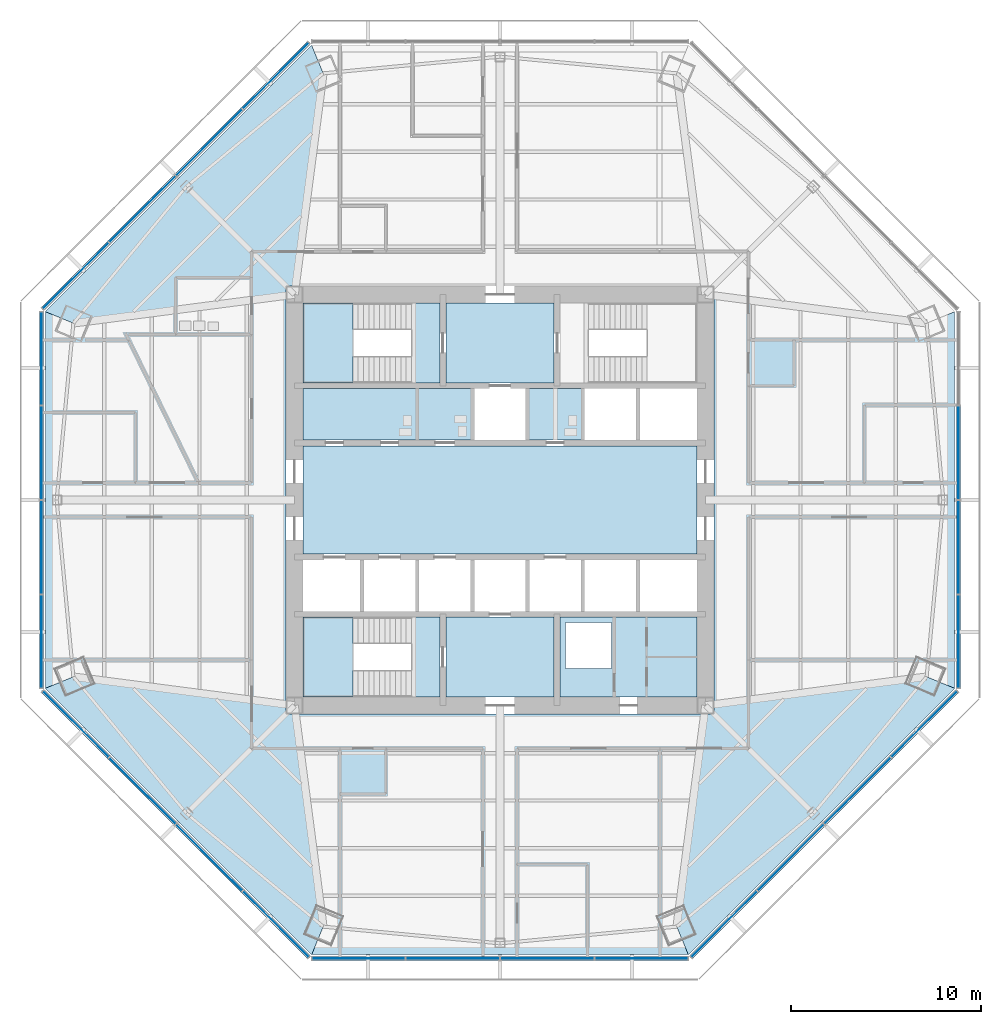
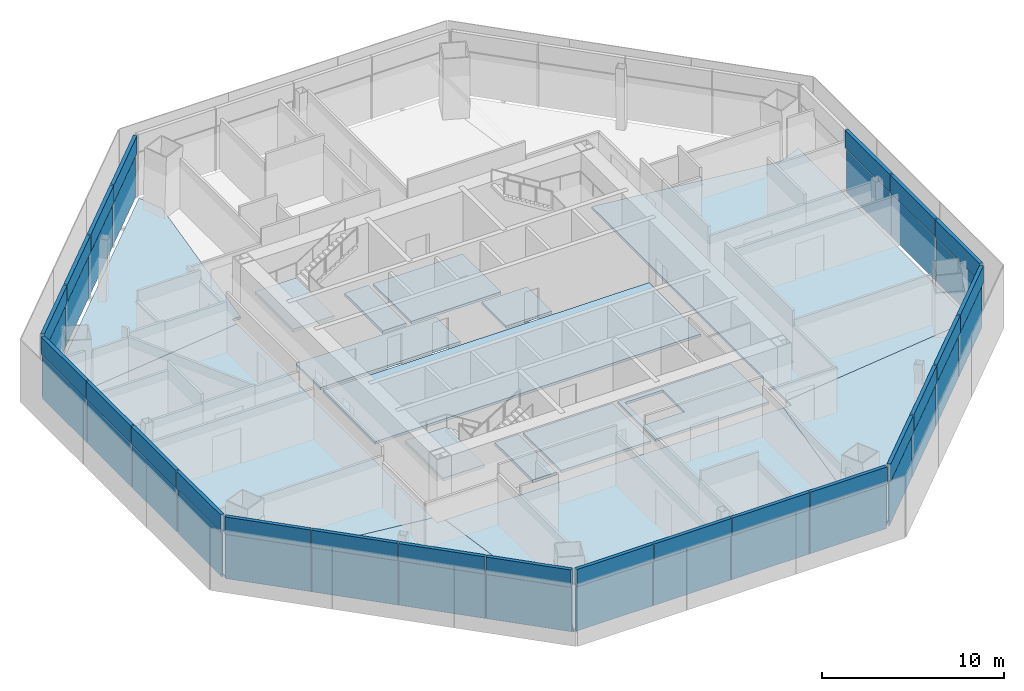
# One storey, part 7 of 14: 46 plates, 16 slabs, 8 elements without a shape of their own.
"""IFC4 building model written with IfcOpenShell, lengths in metres."""

import ifcopenshell
import ifcopenshell.guid

model = None  # the IFC model being written
_history = None  # IfcOwnerHistory: only IFC2X3 demands one
_inside = {}  # id of a spatial element -> (the spatial element, [elements in it])
_under = {}  # id of a project, library or spatial element -> (it, [spatial elements below it])
_declared = {}  # id of a project -> (the project, [libraries it declares])
_typed = {}  # id of a type object -> (the type object, [elements of that type])
_made_of = {}  # id of a material, layer set ... -> (it, [elements and type objects made of it])


def new_model(schema):
    """Start an empty IFC model of exactly this schema.

    Asked for "IFC4X3", IfcOpenShell would pick the latest addendum, in which some entities
    have other attributes; the version numbers below select the first issue.
    IFC2X3 requires an IfcOwnerHistory on every rooted entity: one is made here for all.
    """
    global model, _history
    if schema == "IFC4X3":
        model = ifcopenshell.file(schema_version=(4, 3, 0, 0))
    else:
        model = ifcopenshell.file(schema=schema)
    _inside.clear()
    _under.clear()
    _declared.clear()
    _typed.clear()
    _made_of.clear()
    _history = None
    if model.schema == "IFC2X3":
        org = make("IfcOrganization", Name="unknown")
        user = make(
            "IfcPersonAndOrganization",
            ThePerson=make("IfcPerson", FamilyName="unknown"),
            TheOrganization=org,
        )
        app = make(
            "IfcApplication",
            ApplicationDeveloper=org,
            Version="unknown",
            ApplicationFullName="unknown",
            ApplicationIdentifier="unknown",
        )
        _history = make(
            "IfcOwnerHistory",
            OwningUser=user,
            OwningApplication=app,
            ChangeAction="ADDED",
            CreationDate=0,
        )
    return model


def make(cls, **values):
    """One entity of the class cls with the attributes given. An attribute that is None is left unset."""
    return model.create_entity(
        cls, **{name: value for name, value in values.items() if value is not None}
    )


def rooted(cls, **values):
    """An entity with a GlobalId (a new one), such as an element, a storey or a relation."""
    return make(cls, GlobalId=ifcopenshell.guid.new(), OwnerHistory=_history, **values)


def si_unit(unit_type, name, prefix=None):
    """IfcSIUnit, for example si_unit("LENGTHUNIT", "METRE", prefix="MILLI")."""
    return make("IfcSIUnit", UnitType=unit_type, Prefix=prefix, Name=name)


def assignment(units):
    """IfcUnitAssignment: the units of a project."""
    return None if units is None else make("IfcUnitAssignment", Units=units)


def point(xyz):
    """IfcCartesianPoint."""
    return None if xyz is None else make("IfcCartesianPoint", Coordinates=xyz)


def direction(xyz):
    """IfcDirection."""
    return None if xyz is None else make("IfcDirection", DirectionRatios=xyz)


def frame(location, z_axis=None, x_axis=None):
    """IfcAxis2Placement3D, a coordinate frame: its origin and axes. An axis left out is left unset."""
    return make(
        "IfcAxis2Placement3D",
        Location=point(location),
        Axis=direction(z_axis),
        RefDirection=direction(x_axis),
    )


def frame_2d(location, x_axis=None):
    """IfcAxis2Placement2D, a coordinate frame in the plane: its origin and x axis."""
    return make(
        "IfcAxis2Placement2D", Location=point(location), RefDirection=direction(x_axis)
    )


def origin():
    """The frame at (0, 0, 0) with its axes left unset."""
    return frame((0.0, 0.0, 0.0))


def origin_2d():
    """The frame at (0, 0) in the plane with its x axis left unset."""
    return frame_2d((0.0, 0.0))


def place(relative_to, where):
    """IfcLocalPlacement: puts the frame where relative to a parent placement (None: the world)."""
    return make(
        "IfcLocalPlacement", PlacementRelTo=relative_to, RelativePlacement=where
    )


def context(
    kind, dimensions, precision=None, world=None, true_north=None, identifier=None
):
    """IfcGeometricRepresentationContext, for example the 3D "Model" context."""
    return make(
        "IfcGeometricRepresentationContext",
        ContextIdentifier=identifier,
        ContextType=kind,
        CoordinateSpaceDimension=dimensions,
        Precision=precision,
        WorldCoordinateSystem=world,
        TrueNorth=true_north,
    )


def subcontext(parent, identifier, kind, view, scale=None):
    """IfcGeometricRepresentationSubContext, for example "Body" below "Model"."""
    return make(
        "IfcGeometricRepresentationSubContext",
        ContextIdentifier=identifier,
        ContextType=kind,
        ParentContext=parent,
        TargetScale=scale,
        TargetView=view,
    )


def project(units=None, contexts=None):
    """IfcProject with its units and contexts."""
    return rooted(
        "IfcProject",
        Name="project",
        RepresentationContexts=contexts,
        UnitsInContext=assignment(units),
    )


def spatial(cls, under=None, at=None, **own):
    """A site, building, storey or space (cls), placed at a placement, below another one or the project."""
    s = rooted(cls, ObjectPlacement=at, **own)
    if under is not None:
        _under.setdefault(under.id(), (under, []))[1].append(s)
    return s


def polyline(points):
    """IfcPolyline through the points."""
    return make("IfcPolyline", Points=[point(p) for p in points])


def profile(cls, at=None, kind="AREA", **sizes):
    """A parametric profile (cls). Its sizes go by their IFC names, for example OverallWidth=200.0."""
    return make(cls, ProfileType=kind, Position=at, **sizes)


def rectangle(**sizes):
    """IfcRectangleProfileDef."""
    return profile("IfcRectangleProfileDef", **sizes)


def outline(outer, holes=None, kind="AREA"):
    """IfcArbitraryClosedProfileDef: a profile drawn as a closed curve; with holes, ...WithVoids."""
    if holes is None:
        return make("IfcArbitraryClosedProfileDef", ProfileType=kind, OuterCurve=outer)
    return make(
        "IfcArbitraryProfileDefWithVoids",
        ProfileType=kind,
        OuterCurve=outer,
        InnerCurves=holes,
    )


def extrude(swept, where, along, depth):
    """IfcExtrudedAreaSolid: the profile swept, set in the frame where, extruded along a direction by depth."""
    return make(
        "IfcExtrudedAreaSolid",
        SweptArea=swept,
        Position=where,
        ExtrudedDirection=direction(along),
        Depth=depth,
    )


def shape(context_of_items, identifier, shape_type, items):
    """IfcShapeRepresentation: the items that make up one representation, for example the "Body"."""
    return make(
        "IfcShapeRepresentation",
        ContextOfItems=context_of_items,
        RepresentationIdentifier=identifier,
        RepresentationType=shape_type,
        Items=items,
    )


def source(mapping_origin, context_of_items, identifier, shape_type, items):
    """IfcRepresentationMap: a shape defined once, which mapped items show again and again."""
    return make(
        "IfcRepresentationMap",
        MappingOrigin=mapping_origin,
        MappedRepresentation=shape(context_of_items, identifier, shape_type, items),
    )


def transform(
    local_origin,
    x_axis=None,
    y_axis=None,
    z_axis=None,
    scale=None,
    scale2=None,
    scale3=None,
    uniform=True,
):
    """IfcCartesianTransformationOperator3D, or its non-uniform kind. x_axis, y_axis, z_axis: its Axis1, 2, 3."""
    if uniform:
        return make(
            "IfcCartesianTransformationOperator3D",
            Axis1=direction(x_axis),
            Axis2=direction(y_axis),
            LocalOrigin=point(local_origin),
            Scale=scale,
            Axis3=direction(z_axis),
        )
    return make(
        "IfcCartesianTransformationOperator3DnonUniform",
        Axis1=direction(x_axis),
        Axis2=direction(y_axis),
        LocalOrigin=point(local_origin),
        Scale=scale,
        Axis3=direction(z_axis),
        Scale2=scale2,
        Scale3=scale3,
    )


def mapped(mapping_source, mapping_target):
    """IfcMappedItem: shows the shape of a source again, moved by a transform."""
    return make(
        "IfcMappedItem", MappingSource=mapping_source, MappingTarget=mapping_target
    )


def material(Name=None, Category=None):
    """IfcMaterial."""
    return make("IfcMaterial", Name=Name, Category=Category)


def layer(
    of_material, thickness, ventilated=None, Name=None, Category=None, Priority=None
):
    """IfcMaterialLayer: one layer of a wall or slab, of a material (None: an air gap)."""
    return make(
        "IfcMaterialLayer",
        Material=of_material,
        LayerThickness=thickness,
        IsVentilated=ventilated,
        Name=Name,
        Category=Category,
        Priority=Priority,
    )


def layer_set(layers, Name=None):
    """IfcMaterialLayerSet."""
    return make("IfcMaterialLayerSet", MaterialLayers=layers, LayerSetName=Name)


def made_of(thing, what):
    """Note that an element or type object is made of a material, layer set ...; save() writes the relation."""
    if what is not None:
        _made_of.setdefault(what.id(), (what, []))[1].append(thing)
    return thing


def type_object(cls, material=None, **own):
    """A type object (cls), such as IfcWallType, which elements share."""
    return made_of(rooted(cls, **own), material)


def type_shapes(of_type, sources):
    """Give a type object the sources (RepresentationMaps) that its elements show as mapped items."""
    of_type.RepresentationMaps = sources


def element(
    cls,
    number,
    at=None,
    inside=None,
    cuts=None,
    type_object=None,
    material=None,
    context=None,
    identifier="Body",
    shape_type=None,
    held_by="IfcProductDefinitionShape",
    body=None,
    shapes=None,
    **own,
):
    """One element of the class cls, such as IfcWall. Its Tag is "e" and its number.

    at: its placement. inside: the storey or other place that contains it. cuts: it is an
    opening in that element (IfcRelVoidsElement). A single representation is given by context,
    identifier, shape_type and body (its items); several are given by shapes. held_by: the class
    of the entity that holds the representations. save() writes the other relations.
    """
    e = rooted(cls, Tag="e%d" % number, ObjectPlacement=at, **own)
    if body is not None:
        shapes = [shape(context, identifier, shape_type, body)]
    if shapes is not None:
        e.Representation = make(held_by, Representations=shapes)
    if inside is not None:
        _inside.setdefault(inside.id(), (inside, []))[1].append(e)
    if cuts is not None:
        rooted(
            "IfcRelVoidsElement", RelatingBuildingElement=cuts, RelatedOpeningElement=e
        )
    if type_object is not None:
        _typed.setdefault(type_object.id(), (type_object, []))[1].append(e)
    return made_of(e, material)


def aggregate(whole, parts):
    """IfcRelAggregates: a whole, such as a stair, and the parts it consists of."""
    return rooted("IfcRelAggregates", RelatingObject=whole, RelatedObjects=parts)


def save(model, path):
    """Write the relations noted so far, then the file.

    IfcRelAggregates (storeys below a building ...), IfcRelContainedInSpatialStructure (elements
    in a storey), IfcRelDefinesByType, IfcRelAssociatesMaterial and IfcRelDeclares: one each for
    every whole, place, type object, material and project.
    """
    for whole, parts in _under.values():
        aggregate(whole, parts)
    for where, things in _inside.values():
        rooted(
            "IfcRelContainedInSpatialStructure",
            RelatedElements=things,
            RelatingStructure=where,
        )
    for kind, things in _typed.values():
        rooted("IfcRelDefinesByType", RelatedObjects=things, RelatingType=kind)
    for what, things in _made_of.values():
        rooted("IfcRelAssociatesMaterial", RelatedObjects=things, RelatingMaterial=what)
    for by, libraries in _declared.values():
        rooted("IfcRelDeclares", RelatingContext=by, RelatedDefinitions=libraries)
    model.write(path)


model = new_model("IFC4")

# Units and contexts
model_context = context("Model", 3, precision=1e-05, world=origin(), true_north=direction((0.0, 1.0)))
body_context = subcontext(model_context, "Body", "Model", "MODEL_VIEW")
ifc_project = project(units=[si_unit("LENGTHUNIT", "METRE"), si_unit("AREAUNIT", "SQUARE_METRE"), si_unit("VOLUMEUNIT", "CUBIC_METRE"), si_unit("PLANEANGLEUNIT", "RADIAN"), si_unit("MASSUNIT", "GRAM", prefix="KILO")], contexts=[model_context])

# Site, building, storey
site_placement = place(None, origin())
site = spatial("IfcSite", under=ifc_project, at=site_placement, CompositionType="ELEMENT")
building_placement = place(site_placement, origin())
building = spatial("IfcBuilding", under=site, at=building_placement, Name="Mashrafa Tower", CompositionType="ELEMENT")
storey_placement = place(building_placement, frame((0.0, 0.0, 138.60009765625)))
storey = spatial("IfcBuildingStorey", under=building, at=storey_placement, Name="L31", CompositionType="ELEMENT", Elevation=138.60009765625)

# Slabs
ifc_material_1 = material(Name="Concrete C35/45", Category="concrete")
ifc_layer_1 = layer(ifc_material_1, 0.1650390625)
ifc_layer_set_1 = layer_set([ifc_layer_1], Name="Floor slab 165")
slab_type_1 = type_object("IfcSlabType", Name="Floor slab 165", PredefinedType="FLOOR", material=ifc_layer_set_1)
slab_1_placement = place(storey_placement, frame((0.0, 0.0, -0.1650390625)))
element("IfcSlab", 1, at=slab_1_placement, inside=storey, type_object=slab_type_1, Name="Floor slab L31 east bay", PredefinedType="FLOOR", context=body_context, shape_type="SweptSolid", body=[
    extrude(outline(polyline([(23.893798828125, -9.897216796875), (22.42041015625, -9.286865234375), (11.25, -10.741455078125), (11.25, 10.741455078125), (22.42041015625, 9.286865234375), (23.893798828125, 9.897216796875), (23.893798828125, -9.897216796875)])), origin(), (0.0, 0.0, 1.0), 0.1650390625),
])
slab_2_placement = place(storey_placement, frame((0.0, 0.0, -0.1650390625)))
element("IfcSlab", 2, at=slab_2_placement, inside=storey, type_object=slab_type_1, Name="Floor slab L31 north-west bay", PredefinedType="FLOOR", context=body_context, shape_type="SweptSolid", body=[
    extrude(outline(polyline([(-23.893798828125, 9.897216796875), (-9.897216796875, 23.893798828125), (-9.897216796875, 23.893798828125), (-9.286865234375, 22.42041015625), (-10.741455078125, 11.25), (-11.25, 11.25), (-11.25, 10.741455078125), (-22.42041015625, 9.286865234375), (-23.893798828125, 9.897216796875), (-23.893798828125, 9.897216796875)])), origin(), (0.0, 0.0, 1.0), 0.1650390625),
])
slab_3_placement = place(storey_placement, frame((0.0, 0.0, -0.1650390625)))
element("IfcSlab", 3, at=slab_3_placement, inside=storey, type_object=slab_type_1, Name="Floor slab L31 west bay", PredefinedType="FLOOR", context=body_context, shape_type="SweptSolid", body=[
    extrude(outline(polyline([(-23.893798828125, 9.897216796875), (-22.42041015625, 9.286865234375), (-11.25, 10.741455078125), (-11.25, -10.741455078125), (-22.42041015625, -9.286865234375), (-23.893798828125, -9.897216796875), (-23.893798828125, 9.897216796875)])), origin(), (0.0, 0.0, 1.0), 0.1650390625),
])
slab_4_placement = place(storey_placement, frame((0.0, 0.0, -0.1650390625)))
element("IfcSlab", 4, at=slab_4_placement, inside=storey, type_object=slab_type_1, Name="Floor slab L31 south-west bay", PredefinedType="FLOOR", context=body_context, shape_type="SweptSolid", body=[
    extrude(outline(polyline([(-9.897216796875, -23.893798828125), (-23.893798828125, -9.897216796875), (-23.893798828125, -9.897216796875), (-22.42041015625, -9.286865234375), (-11.25, -10.741455078125), (-11.25, -11.25), (-10.741455078125, -11.25), (-9.286865234375, -22.42041015625), (-9.897216796875, -23.893798828125), (-9.897216796875, -23.893798828125)])), origin(), (0.0, 0.0, 1.0), 0.1650390625),
])
slab_5_placement = place(storey_placement, frame((0.0, 0.0, -0.1650390625)))
element("IfcSlab", 5, at=slab_5_placement, inside=storey, type_object=slab_type_1, Name="Floor slab L31 south bay", PredefinedType="FLOOR", context=body_context, shape_type="SweptSolid", body=[
    extrude(outline(polyline([(-9.897216796875, -23.893798828125), (-9.286865234375, -22.42041015625), (-10.741455078125, -11.25), (10.741455078125, -11.25), (9.286865234375, -22.42041015625), (9.897216796875, -23.893798828125), (-9.897216796875, -23.893798828125)])), origin(), (0.0, 0.0, 1.0), 0.1650390625),
])
slab_6_placement = place(storey_placement, frame((0.0, 0.0, -0.1650390625)))
element("IfcSlab", 6, at=slab_6_placement, inside=storey, type_object=slab_type_1, Name="Floor slab L31 south-east bay", PredefinedType="FLOOR", context=body_context, shape_type="SweptSolid", body=[
    extrude(outline(polyline([(9.897216796875, -23.893798828125), (9.286865234375, -22.42041015625), (10.741455078125, -11.25), (11.25, -11.25), (11.25, -10.741455078125), (22.42041015625, -9.286865234375), (23.893798828125, -9.897216796875), (23.893798828125, -9.897216796875), (9.897216796875, -23.893798828125), (9.897216796875, -23.893798828125)])), origin(), (0.0, 0.0, 1.0), 0.1650390625),
])
slab_7_placement = place(storey_placement, frame((0.0, 0.0, -0.1650390625)))
element("IfcSlab", 7, at=slab_7_placement, inside=storey, type_object=slab_type_1, Name="Core floor lift hall L31", PredefinedType="FLOOR", context=body_context, shape_type="SweptSolid", body=[
    extrude(outline(polyline([(-10.35009765625, 2.85009765625), (10.35009765625, 2.85009765625), (10.35009765625, -2.85009765625), (-10.35009765625, -2.85009765625), (-10.35009765625, 2.85009765625)])), origin(), (0.0, 0.0, 1.0), 0.1650390625),
])
slab_8_placement = place(storey_placement, frame((0.0, 0.0, -0.1650390625)))
element("IfcSlab", 8, at=slab_8_placement, inside=storey, type_object=slab_type_1, Name="Core floor riser and electrical band L31", PredefinedType="FLOOR", context=body_context, shape_type="SweptSolid", body=[
    extrude(outline(polyline([(10.35009765625, -6.14990234375), (10.35009765625, -10.35009765625), (3.14990234375, -10.35009765625), (3.14990234375, -6.14990234375), (10.35009765625, -6.14990234375)]), holes=[polyline([(3.449951171875, -8.85009765625), (5.85009765625, -8.85009765625), (5.85009765625, -6.449951171875), (3.449951171875, -6.449951171875), (3.449951171875, -8.85009765625)])]), origin(), (0.0, 0.0, 1.0), 0.1650390625),
])
slab_9_placement = place(storey_placement, frame((0.0, 0.0, -0.1650390625)))
element("IfcSlab", 9, at=slab_9_placement, inside=storey, type_object=slab_type_1, Name="Core floor lift cell L31", PredefinedType="FLOOR", context=body_context, shape_type="SweptSolid", body=[
    extrude(outline(polyline([(-1.449951171875, 3.14990234375), (-10.35009765625, 3.14990234375), (-10.35009765625, 5.85009765625), (-1.449951171875, 5.85009765625), (-1.449951171875, 3.14990234375)])), origin(), (0.0, 0.0, 1.0), 0.1650390625),
])
slab_10_placement = place(storey_placement, frame((0.0, 0.0, -0.1650390625)))
element("IfcSlab", 10, at=slab_10_placement, inside=storey, type_object=slab_type_1, Name="Core floor fire-fighting lobby north L31", PredefinedType="FLOOR", context=body_context, shape_type="SweptSolid", body=[
    extrude(outline(polyline([(-2.85009765625, 10.35009765625), (2.85009765625, 10.35009765625), (2.85009765625, 6.14990234375), (-2.85009765625, 6.14990234375), (-2.85009765625, 10.35009765625)])), origin(), (0.0, 0.0, 1.0), 0.1650390625),
])
slab_11_placement = place(storey_placement, frame((0.0, 0.0, -0.1650390625)))
element("IfcSlab", 11, at=slab_11_placement, inside=storey, type_object=slab_type_1, Name="Core floor fire-fighting lobby south L31", PredefinedType="FLOOR", context=body_context, shape_type="SweptSolid", body=[
    extrude(outline(polyline([(2.85009765625, -6.14990234375), (2.85009765625, -10.35009765625), (-2.85009765625, -10.35009765625), (-2.85009765625, -6.14990234375), (2.85009765625, -6.14990234375)])), origin(), (0.0, 0.0, 1.0), 0.1650390625),
])
slab_12_placement = place(storey_placement, frame((0.0, 0.0, -0.1650390625)))
element("IfcSlab", 12, at=slab_12_placement, inside=storey, type_object=slab_type_1, Name="Core floor lift cell L31", PredefinedType="FLOOR", context=body_context, shape_type="SweptSolid", body=[
    extrude(outline(polyline([(4.35009765625, 5.85009765625), (4.35009765625, 3.14990234375), (1.449951171875, 3.14990234375), (1.449951171875, 5.85009765625), (4.35009765625, 5.85009765625)])), origin(), (0.0, 0.0, 1.0), 0.1650390625),
])

# Stair, slabs
ifc_material_2 = material(Name="Exit stair 1400")
stair_type = type_object("IfcStairType", Name="Exit stair 1400", PredefinedType="HALF_TURN_STAIR", material=ifc_material_2)
stair_1_placement = place(storey_placement, origin())
stair_1 = element("IfcStair", 13, at=stair_1_placement, inside=storey, type_object=stair_type, Name="Stair S1 L31", PredefinedType="HALF_TURN_STAIR")
ifc_material_3 = material(Name="Concrete C32/40", Category="concrete")
ifc_layer_2 = layer(ifc_material_3, 0.199951171875)
ifc_layer_set_2 = layer_set([ifc_layer_2], Name="Stair landing 200")
slab_type_2 = type_object("IfcSlabType", Name="Stair landing 200", PredefinedType="LANDING", material=ifc_layer_set_2)
slab_13_placement = place(storey_placement, frame((0.0, 0.0, -0.2001953125)))
slab_13 = element("IfcSlab", 14, at=slab_13_placement, type_object=slab_type_2, Name="S1 landing 1", PredefinedType="LANDING", context=body_context, shape_type="SweptSolid", body=[
    extrude(outline(polyline([(-4.659912109375, 6.14990234375), (-3.14990234375, 6.14990234375), (-3.14990234375, 10.35009765625), (-4.659912109375, 10.35009765625), (-4.659912109375, 6.14990234375)])), origin(), (0.0, 0.0, 1.0), 0.2001953125),
])
slab_14_placement = place(storey_placement, frame((0.0, 0.0, 1.89990234375)))
slab_14 = element("IfcSlab", 15, at=slab_14_placement, type_object=slab_type_2, Name="S1 landing 2", PredefinedType="LANDING", context=body_context, shape_type="SweptSolid", body=[
    extrude(outline(polyline([(-10.35009765625, 6.14990234375), (-7.719970703125, 6.14990234375), (-7.719970703125, 10.35009765625), (-10.35009765625, 10.35009765625), (-10.35009765625, 6.14990234375)])), origin(), (0.0, 0.0, 1.0), 0.199951171875),
])
aggregate(stair_1, [slab_13, slab_14])

stair_2_placement = place(storey_placement, origin())
stair_2 = element("IfcStair", 16, at=stair_2_placement, inside=storey, type_object=stair_type, Name="Stair S3 L31", PredefinedType="HALF_TURN_STAIR")
slab_15_placement = place(storey_placement, frame((0.0, 0.0, -0.2001953125)))
slab_15 = element("IfcSlab", 17, at=slab_15_placement, type_object=slab_type_2, Name="S3 landing 1", PredefinedType="LANDING", context=body_context, shape_type="SweptSolid", body=[
    extrude(outline(polyline([(-4.659912109375, -10.35009765625), (-3.14990234375, -10.35009765625), (-3.14990234375, -6.14990234375), (-4.659912109375, -6.14990234375), (-4.659912109375, -10.35009765625)])), origin(), (0.0, 0.0, 1.0), 0.2001953125),
])
slab_16_placement = place(storey_placement, frame((0.0, 0.0, 1.89990234375)))
slab_16 = element("IfcSlab", 18, at=slab_16_placement, type_object=slab_type_2, Name="S3 landing 2", PredefinedType="LANDING", context=body_context, shape_type="SweptSolid", body=[
    extrude(outline(polyline([(-10.35009765625, -10.35009765625), (-7.719970703125, -10.35009765625), (-7.719970703125, -6.14990234375), (-10.35009765625, -6.14990234375), (-10.35009765625, -10.35009765625)])), origin(), (0.0, 0.0, 1.0), 0.199951171875),
])
aggregate(stair_2, [slab_15, slab_16])

# Curtain wall, plate
ifc_material_4 = material(Name="Unitised aluminium curtain wall", Category="aluminium")
curtain_wall_type = type_object("IfcCurtainWallType", Name="Office curtain wall, zone 2 CW-B 225 deep", PredefinedType="NOTDEFINED", material=ifc_material_4)
curtain_wall_1_placement = place(storey_placement, origin())
curtain_wall_1 = element("IfcCurtainWall", 19, at=curtain_wall_1_placement, inside=storey, type_object=curtain_wall_type, Name="Office curtain wall, zone 2 L31 east", PredefinedType="NOTDEFINED")
ifc_material_5 = material(Name="Insulated double glazing, low-e, neutral", Category="glass")
ifc_layer_3 = layer(ifc_material_5, 0.028076171875)
ifc_layer_set_3 = layer_set([ifc_layer_3], Name="Vision panel CW-B 28")
plate_type_1 = type_object("IfcPlateType", Name="Vision panel CW-B 28", PredefinedType="CURTAIN_PANEL", material=ifc_layer_set_3)
shared_shape_1 = source(origin(), body_context, "Body", "SweptSolid", [
    extrude(rectangle(XDim=4.8642578125, YDim=0.028076171875, at=origin_2d()), origin(), (0.0, 0.0, 1.0), 2.9599609375),
])
plate_1_placement = place(storey_placement, frame((24.093994140625, -7.42626953125, 0.0), z_axis=(0.0, 0.0, 1.0), x_axis=(0.0, 1.0, 0.0)))
plate_1 = element("IfcPlate", 20, at=plate_1_placement, type_object=plate_type_1, Name="CW-B vision panel 1", PredefinedType="CURTAIN_PANEL", context=body_context, shape_type="MappedRepresentation", body=[
    mapped(shared_shape_1, transform((0.0, 0.0, 0.0))),
])

# Curtain wall, plates
curtain_wall_2_placement = place(storey_placement, origin())
curtain_wall_2 = element("IfcCurtainWall", 21, at=curtain_wall_2_placement, inside=storey, type_object=curtain_wall_type, Name="Office curtain wall, zone 2 L31 north-west", PredefinedType="NOTDEFINED")
plate_2_placement = place(storey_placement, frame((-11.785888671875, 22.2880859375, 0.0), z_axis=(0.0, 0.0, 1.0), x_axis=(-0.707106781187, -0.707106781187, 0.0)))
plate_2 = element("IfcPlate", 22, at=plate_2_placement, type_object=plate_type_1, Name="CW-B vision panel 1", PredefinedType="CURTAIN_PANEL", context=body_context, shape_type="MappedRepresentation", body=[
    mapped(shared_shape_1, transform((0.0, 0.0, 0.0))),
])
plate_3_placement = place(storey_placement, frame((-22.2880859375, 11.785888671875, 0.0), z_axis=(0.0, 0.0, 1.0), x_axis=(-0.707106781187, -0.707106781187, 0.0)))
plate_3 = element("IfcPlate", 23, at=plate_3_placement, type_object=plate_type_1, Name="CW-B vision panel 4", PredefinedType="CURTAIN_PANEL", context=body_context, shape_type="MappedRepresentation", body=[
    mapped(shared_shape_1, transform((0.0, 0.0, 0.0))),
])

curtain_wall_3_placement = place(storey_placement, origin())
curtain_wall_3 = element("IfcCurtainWall", 24, at=curtain_wall_3_placement, inside=storey, type_object=curtain_wall_type, Name="Office curtain wall, zone 2 L31 west", PredefinedType="NOTDEFINED")
plate_4_placement = place(storey_placement, frame((-24.093994140625, 7.42626953125, 0.0), z_axis=(0.0, 0.0, 1.0), x_axis=(0.0, -1.0, 0.0)))
plate_4 = element("IfcPlate", 25, at=plate_4_placement, type_object=plate_type_1, Name="CW-B vision panel 1", PredefinedType="CURTAIN_PANEL", context=body_context, shape_type="MappedRepresentation", body=[
    mapped(shared_shape_1, transform((0.0, 0.0, 0.0))),
])
plate_5_placement = place(storey_placement, frame((-24.093994140625, -7.42626953125, 0.0), z_axis=(0.0, 0.0, 1.0), x_axis=(0.0, -1.0, 0.0)))
plate_5 = element("IfcPlate", 26, at=plate_5_placement, type_object=plate_type_1, Name="CW-B vision panel 4", PredefinedType="CURTAIN_PANEL", context=body_context, shape_type="MappedRepresentation", body=[
    mapped(shared_shape_1, transform((0.0, 0.0, 0.0))),
])

curtain_wall_4_placement = place(storey_placement, origin())
curtain_wall_4 = element("IfcCurtainWall", 27, at=curtain_wall_4_placement, inside=storey, type_object=curtain_wall_type, Name="Office curtain wall, zone 2 L31 south-west", PredefinedType="NOTDEFINED")
plate_6_placement = place(storey_placement, frame((-22.2880859375, -11.785888671875, 0.0), z_axis=(0.0, 0.0, 1.0), x_axis=(0.707106781187, -0.707106781187, 0.0)))
plate_6 = element("IfcPlate", 28, at=plate_6_placement, type_object=plate_type_1, Name="CW-B vision panel 1", PredefinedType="CURTAIN_PANEL", context=body_context, shape_type="MappedRepresentation", body=[
    mapped(shared_shape_1, transform((0.0, 0.0, 0.0))),
])
plate_7_placement = place(storey_placement, frame((-11.785888671875, -22.2880859375, 0.0), z_axis=(0.0, 0.0, 1.0), x_axis=(0.707106781187, -0.707106781187, 0.0)))
plate_7 = element("IfcPlate", 29, at=plate_7_placement, type_object=plate_type_1, Name="CW-B vision panel 4", PredefinedType="CURTAIN_PANEL", context=body_context, shape_type="MappedRepresentation", body=[
    mapped(shared_shape_1, transform((0.0, 0.0, 0.0))),
])

curtain_wall_5_placement = place(storey_placement, origin())
curtain_wall_5 = element("IfcCurtainWall", 30, at=curtain_wall_5_placement, inside=storey, type_object=curtain_wall_type, Name="Office curtain wall, zone 2 L31 south", PredefinedType="NOTDEFINED")
plate_8_placement = place(storey_placement, frame((-7.42626953125, -24.093994140625, 0.0), z_axis=(0.0, 0.0, 1.0), x_axis=(1.0, 0.0, 0.0)))
plate_8 = element("IfcPlate", 31, at=plate_8_placement, type_object=plate_type_1, Name="CW-B vision panel 1", PredefinedType="CURTAIN_PANEL", context=body_context, shape_type="MappedRepresentation", body=[
    mapped(shared_shape_1, transform((0.0, 0.0, 0.0))),
])
plate_9_placement = place(storey_placement, frame((7.42626953125, -24.093994140625, 0.0), z_axis=(0.0, 0.0, 1.0), x_axis=(1.0, 0.0, 0.0)))
plate_9 = element("IfcPlate", 32, at=plate_9_placement, type_object=plate_type_1, Name="CW-B vision panel 4", PredefinedType="CURTAIN_PANEL", context=body_context, shape_type="MappedRepresentation", body=[
    mapped(shared_shape_1, transform((0.0, 0.0, 0.0))),
])

curtain_wall_6_placement = place(storey_placement, origin())
curtain_wall_6 = element("IfcCurtainWall", 33, at=curtain_wall_6_placement, inside=storey, type_object=curtain_wall_type, Name="Office curtain wall, zone 2 L31 south-east", PredefinedType="NOTDEFINED")
plate_10_placement = place(storey_placement, frame((11.785888671875, -22.2880859375, 0.0), z_axis=(0.0, 0.0, 1.0), x_axis=(0.707106781187, 0.707106781187, 0.0)))
plate_10 = element("IfcPlate", 34, at=plate_10_placement, type_object=plate_type_1, Name="CW-B vision panel 1", PredefinedType="CURTAIN_PANEL", context=body_context, shape_type="MappedRepresentation", body=[
    mapped(shared_shape_1, transform((0.0, 0.0, 0.0))),
])
plate_11_placement = place(storey_placement, frame((22.2880859375, -11.785888671875, 0.0), z_axis=(0.0, 0.0, 1.0), x_axis=(0.707106781187, 0.707106781187, 0.0)))
plate_11 = element("IfcPlate", 35, at=plate_11_placement, type_object=plate_type_1, Name="CW-B vision panel 4", PredefinedType="CURTAIN_PANEL", context=body_context, shape_type="MappedRepresentation", body=[
    mapped(shared_shape_1, transform((0.0, 0.0, 0.0))),
])

# Plate
ifc_material_6 = material(Name="Insulated aluminium spandrel panel", Category="aluminium")
ifc_layer_4 = layer(ifc_material_6, 0.219970703125)
ifc_layer_set_4 = layer_set([ifc_layer_4], Name="Spandrel panel CW-B 220")
plate_type_2 = type_object("IfcPlateType", Name="Spandrel panel CW-B 220", PredefinedType="CURTAIN_PANEL", material=ifc_layer_set_4)
shared_shape_2 = source(origin(), body_context, "Body", "SweptSolid", [
    extrude(rectangle(XDim=4.8642578125, YDim=0.219970703125, at=origin_2d()), origin(), (0.0, 0.0, 1.0), 1.159912109375),
])
plate_12_placement = place(storey_placement, frame((24.093994140625, -7.42626953125, 3.0400390625), z_axis=(0.0, 0.0, 1.0), x_axis=(0.0, 1.0, 0.0)))
plate_12 = element("IfcPlate", 36, at=plate_12_placement, type_object=plate_type_2, Name="CW-B spandrel panel 1", PredefinedType="CURTAIN_PANEL", context=body_context, shape_type="MappedRepresentation", body=[
    mapped(shared_shape_2, transform((0.0, 0.0, 0.0))),
])

plate_13_placement = place(storey_placement, frame((-11.785888671875, 22.2880859375, 3.0400390625), z_axis=(0.0, 0.0, 1.0), x_axis=(-0.707106781187, -0.707106781187, 0.0)))
plate_13 = element("IfcPlate", 37, at=plate_13_placement, type_object=plate_type_2, Name="CW-B spandrel panel 1", PredefinedType="CURTAIN_PANEL", context=body_context, shape_type="MappedRepresentation", body=[
    mapped(shared_shape_2, transform((0.0, 0.0, 0.0))),
])

plate_14_placement = place(storey_placement, frame((-22.2880859375, 11.785888671875, 3.0400390625), z_axis=(0.0, 0.0, 1.0), x_axis=(-0.707106781187, -0.707106781187, 0.0)))
plate_14 = element("IfcPlate", 38, at=plate_14_placement, type_object=plate_type_2, Name="CW-B spandrel panel 4", PredefinedType="CURTAIN_PANEL", context=body_context, shape_type="MappedRepresentation", body=[
    mapped(shared_shape_2, transform((0.0, 0.0, 0.0))),
])

plate_15_placement = place(storey_placement, frame((-24.093994140625, 7.42626953125, 3.0400390625), z_axis=(0.0, 0.0, 1.0), x_axis=(0.0, -1.0, 0.0)))
plate_15 = element("IfcPlate", 39, at=plate_15_placement, type_object=plate_type_2, Name="CW-B spandrel panel 1", PredefinedType="CURTAIN_PANEL", context=body_context, shape_type="MappedRepresentation", body=[
    mapped(shared_shape_2, transform((0.0, 0.0, 0.0))),
])

plate_16_placement = place(storey_placement, frame((-24.093994140625, -7.42626953125, 3.0400390625), z_axis=(0.0, 0.0, 1.0), x_axis=(0.0, -1.0, 0.0)))
plate_16 = element("IfcPlate", 40, at=plate_16_placement, type_object=plate_type_2, Name="CW-B spandrel panel 4", PredefinedType="CURTAIN_PANEL", context=body_context, shape_type="MappedRepresentation", body=[
    mapped(shared_shape_2, transform((0.0, 0.0, 0.0))),
])

plate_17_placement = place(storey_placement, frame((-22.2880859375, -11.785888671875, 3.0400390625), z_axis=(0.0, 0.0, 1.0), x_axis=(0.707106781187, -0.707106781187, 0.0)))
plate_17 = element("IfcPlate", 41, at=plate_17_placement, type_object=plate_type_2, Name="CW-B spandrel panel 1", PredefinedType="CURTAIN_PANEL", context=body_context, shape_type="MappedRepresentation", body=[
    mapped(shared_shape_2, transform((0.0, 0.0, 0.0))),
])

plate_18_placement = place(storey_placement, frame((-11.785888671875, -22.2880859375, 3.0400390625), z_axis=(0.0, 0.0, 1.0), x_axis=(0.707106781187, -0.707106781187, 0.0)))
plate_18 = element("IfcPlate", 42, at=plate_18_placement, type_object=plate_type_2, Name="CW-B spandrel panel 4", PredefinedType="CURTAIN_PANEL", context=body_context, shape_type="MappedRepresentation", body=[
    mapped(shared_shape_2, transform((0.0, 0.0, 0.0))),
])

plate_19_placement = place(storey_placement, frame((-7.42626953125, -24.093994140625, 3.0400390625), z_axis=(0.0, 0.0, 1.0), x_axis=(1.0, 0.0, 0.0)))
plate_19 = element("IfcPlate", 43, at=plate_19_placement, type_object=plate_type_2, Name="CW-B spandrel panel 1", PredefinedType="CURTAIN_PANEL", context=body_context, shape_type="MappedRepresentation", body=[
    mapped(shared_shape_2, transform((0.0, 0.0, 0.0))),
])

plate_20_placement = place(storey_placement, frame((7.42626953125, -24.093994140625, 3.0400390625), z_axis=(0.0, 0.0, 1.0), x_axis=(1.0, 0.0, 0.0)))
plate_20 = element("IfcPlate", 44, at=plate_20_placement, type_object=plate_type_2, Name="CW-B spandrel panel 4", PredefinedType="CURTAIN_PANEL", context=body_context, shape_type="MappedRepresentation", body=[
    mapped(shared_shape_2, transform((0.0, 0.0, 0.0))),
])

plate_21_placement = place(storey_placement, frame((11.785888671875, -22.2880859375, 3.0400390625), z_axis=(0.0, 0.0, 1.0), x_axis=(0.707106781187, 0.707106781187, 0.0)))
plate_21 = element("IfcPlate", 45, at=plate_21_placement, type_object=plate_type_2, Name="CW-B spandrel panel 1", PredefinedType="CURTAIN_PANEL", context=body_context, shape_type="MappedRepresentation", body=[
    mapped(shared_shape_2, transform((0.0, 0.0, 0.0))),
])

plate_22_placement = place(storey_placement, frame((22.2880859375, -11.785888671875, 3.0400390625), z_axis=(0.0, 0.0, 1.0), x_axis=(0.707106781187, 0.707106781187, 0.0)))
plate_22 = element("IfcPlate", 46, at=plate_22_placement, type_object=plate_type_2, Name="CW-B spandrel panel 4", PredefinedType="CURTAIN_PANEL", context=body_context, shape_type="MappedRepresentation", body=[
    mapped(shared_shape_2, transform((0.0, 0.0, 0.0))),
])

shared_shape_3 = source(origin(), body_context, "Body", "SweptSolid", [
    extrude(rectangle(XDim=4.896728515625, YDim=0.028076171875, at=origin_2d()), origin(), (0.0, 0.0, 1.0), 2.9599609375),
])
type_shapes(plate_type_1, [shared_shape_1, shared_shape_3])
plate_23_placement = place(storey_placement, frame((24.093994140625, -2.48095703125, 0.0), z_axis=(0.0, 0.0, 1.0), x_axis=(0.0, 1.0, 0.0)))
plate_23 = element("IfcPlate", 47, at=plate_23_placement, type_object=plate_type_1, Name="CW-B vision panel 2", PredefinedType="CURTAIN_PANEL", context=body_context, shape_type="MappedRepresentation", body=[
    mapped(shared_shape_3, transform((0.0, 0.0, 0.0))),
])

plate_24_placement = place(storey_placement, frame((24.093994140625, 2.48095703125, 0.0), z_axis=(0.0, 0.0, 1.0), x_axis=(0.0, 1.0, 0.0)))
plate_24 = element("IfcPlate", 48, at=plate_24_placement, type_object=plate_type_1, Name="CW-B vision panel 3", PredefinedType="CURTAIN_PANEL", context=body_context, shape_type="MappedRepresentation", body=[
    mapped(shared_shape_3, transform((0.0, 0.0, 0.0))),
])

plate_25_placement = place(storey_placement, frame((-15.28271484375, 18.791259765625, 0.0), z_axis=(0.0, 0.0, 1.0), x_axis=(-0.707106781187, -0.707106781187, 0.0)))
plate_25 = element("IfcPlate", 49, at=plate_25_placement, type_object=plate_type_1, Name="CW-B vision panel 2", PredefinedType="CURTAIN_PANEL", context=body_context, shape_type="MappedRepresentation", body=[
    mapped(shared_shape_3, transform((0.0, 0.0, 0.0))),
])

plate_26_placement = place(storey_placement, frame((-18.791259765625, 15.28271484375, 0.0), z_axis=(0.0, 0.0, 1.0), x_axis=(-0.707106781187, -0.707106781187, 0.0)))
plate_26 = element("IfcPlate", 50, at=plate_26_placement, type_object=plate_type_1, Name="CW-B vision panel 3", PredefinedType="CURTAIN_PANEL", context=body_context, shape_type="MappedRepresentation", body=[
    mapped(shared_shape_3, transform((0.0, 0.0, 0.0))),
])

plate_27_placement = place(storey_placement, frame((-24.093994140625, 2.48095703125, 0.0), z_axis=(0.0, 0.0, 1.0), x_axis=(0.0, -1.0, 0.0)))
plate_27 = element("IfcPlate", 51, at=plate_27_placement, type_object=plate_type_1, Name="CW-B vision panel 2", PredefinedType="CURTAIN_PANEL", context=body_context, shape_type="MappedRepresentation", body=[
    mapped(shared_shape_3, transform((0.0, 0.0, 0.0))),
])

plate_28_placement = place(storey_placement, frame((-24.093994140625, -2.48095703125, 0.0), z_axis=(0.0, 0.0, 1.0), x_axis=(0.0, -1.0, 0.0)))
plate_28 = element("IfcPlate", 52, at=plate_28_placement, type_object=plate_type_1, Name="CW-B vision panel 3", PredefinedType="CURTAIN_PANEL", context=body_context, shape_type="MappedRepresentation", body=[
    mapped(shared_shape_3, transform((0.0, 0.0, 0.0))),
])

plate_29_placement = place(storey_placement, frame((-18.791259765625, -15.28271484375, 0.0), z_axis=(0.0, 0.0, 1.0), x_axis=(0.707106781187, -0.707106781187, 0.0)))
plate_29 = element("IfcPlate", 53, at=plate_29_placement, type_object=plate_type_1, Name="CW-B vision panel 2", PredefinedType="CURTAIN_PANEL", context=body_context, shape_type="MappedRepresentation", body=[
    mapped(shared_shape_3, transform((0.0, 0.0, 0.0))),
])

plate_30_placement = place(storey_placement, frame((-15.28271484375, -18.791259765625, 0.0), z_axis=(0.0, 0.0, 1.0), x_axis=(0.707106781187, -0.707106781187, 0.0)))
plate_30 = element("IfcPlate", 54, at=plate_30_placement, type_object=plate_type_1, Name="CW-B vision panel 3", PredefinedType="CURTAIN_PANEL", context=body_context, shape_type="MappedRepresentation", body=[
    mapped(shared_shape_3, transform((0.0, 0.0, 0.0))),
])

plate_31_placement = place(storey_placement, frame((-2.48095703125, -24.093994140625, 0.0), z_axis=(0.0, 0.0, 1.0), x_axis=(1.0, 0.0, 0.0)))
plate_31 = element("IfcPlate", 55, at=plate_31_placement, type_object=plate_type_1, Name="CW-B vision panel 2", PredefinedType="CURTAIN_PANEL", context=body_context, shape_type="MappedRepresentation", body=[
    mapped(shared_shape_3, transform((0.0, 0.0, 0.0))),
])

plate_32_placement = place(storey_placement, frame((2.48095703125, -24.093994140625, 0.0), z_axis=(0.0, 0.0, 1.0), x_axis=(1.0, 0.0, 0.0)))
plate_32 = element("IfcPlate", 56, at=plate_32_placement, type_object=plate_type_1, Name="CW-B vision panel 3", PredefinedType="CURTAIN_PANEL", context=body_context, shape_type="MappedRepresentation", body=[
    mapped(shared_shape_3, transform((0.0, 0.0, 0.0))),
])

plate_33_placement = place(storey_placement, frame((15.28271484375, -18.791259765625, 0.0), z_axis=(0.0, 0.0, 1.0), x_axis=(0.707106781187, 0.707106781187, 0.0)))
plate_33 = element("IfcPlate", 57, at=plate_33_placement, type_object=plate_type_1, Name="CW-B vision panel 2", PredefinedType="CURTAIN_PANEL", context=body_context, shape_type="MappedRepresentation", body=[
    mapped(shared_shape_3, transform((0.0, 0.0, 0.0))),
])

plate_34_placement = place(storey_placement, frame((18.791259765625, -15.28271484375, 0.0), z_axis=(0.0, 0.0, 1.0), x_axis=(0.707106781187, 0.707106781187, 0.0)))
plate_34 = element("IfcPlate", 58, at=plate_34_placement, type_object=plate_type_1, Name="CW-B vision panel 3", PredefinedType="CURTAIN_PANEL", context=body_context, shape_type="MappedRepresentation", body=[
    mapped(shared_shape_3, transform((0.0, 0.0, 0.0))),
])

shared_shape_4 = source(origin(), body_context, "Body", "SweptSolid", [
    extrude(rectangle(XDim=4.896728515625, YDim=0.219970703125, at=origin_2d()), origin(), (0.0, 0.0, 1.0), 1.159912109375),
])
type_shapes(plate_type_2, [shared_shape_2, shared_shape_4])
plate_35_placement = place(storey_placement, frame((24.093994140625, -2.48095703125, 3.0400390625), z_axis=(0.0, 0.0, 1.0), x_axis=(0.0, 1.0, 0.0)))
plate_35 = element("IfcPlate", 59, at=plate_35_placement, type_object=plate_type_2, Name="CW-B spandrel panel 2", PredefinedType="CURTAIN_PANEL", context=body_context, shape_type="MappedRepresentation", body=[
    mapped(shared_shape_4, transform((0.0, 0.0, 0.0))),
])

plate_36_placement = place(storey_placement, frame((24.093994140625, 2.48095703125, 3.0400390625), z_axis=(0.0, 0.0, 1.0), x_axis=(0.0, 1.0, 0.0)))
plate_36 = element("IfcPlate", 60, at=plate_36_placement, type_object=plate_type_2, Name="CW-B spandrel panel 3", PredefinedType="CURTAIN_PANEL", context=body_context, shape_type="MappedRepresentation", body=[
    mapped(shared_shape_4, transform((0.0, 0.0, 0.0))),
])

aggregate(curtain_wall_1, [plate_1, plate_12, plate_23, plate_35, plate_24, plate_36])

plate_37_placement = place(storey_placement, frame((-15.28271484375, 18.791259765625, 3.0400390625), z_axis=(0.0, 0.0, 1.0), x_axis=(-0.707106781187, -0.707106781187, 0.0)))
plate_37 = element("IfcPlate", 61, at=plate_37_placement, type_object=plate_type_2, Name="CW-B spandrel panel 2", PredefinedType="CURTAIN_PANEL", context=body_context, shape_type="MappedRepresentation", body=[
    mapped(shared_shape_4, transform((0.0, 0.0, 0.0))),
])

plate_38_placement = place(storey_placement, frame((-18.791259765625, 15.28271484375, 3.0400390625), z_axis=(0.0, 0.0, 1.0), x_axis=(-0.707106781187, -0.707106781187, 0.0)))
plate_38 = element("IfcPlate", 62, at=plate_38_placement, type_object=plate_type_2, Name="CW-B spandrel panel 3", PredefinedType="CURTAIN_PANEL", context=body_context, shape_type="MappedRepresentation", body=[
    mapped(shared_shape_4, transform((0.0, 0.0, 0.0))),
])

aggregate(curtain_wall_2, [plate_2, plate_13, plate_25, plate_37, plate_26, plate_38, plate_3, plate_14])

plate_39_placement = place(storey_placement, frame((-24.093994140625, 2.48095703125, 3.0400390625), z_axis=(0.0, 0.0, 1.0), x_axis=(0.0, -1.0, 0.0)))
plate_39 = element("IfcPlate", 63, at=plate_39_placement, type_object=plate_type_2, Name="CW-B spandrel panel 2", PredefinedType="CURTAIN_PANEL", context=body_context, shape_type="MappedRepresentation", body=[
    mapped(shared_shape_4, transform((0.0, 0.0, 0.0))),
])

plate_40_placement = place(storey_placement, frame((-24.093994140625, -2.48095703125, 3.0400390625), z_axis=(0.0, 0.0, 1.0), x_axis=(0.0, -1.0, 0.0)))
plate_40 = element("IfcPlate", 64, at=plate_40_placement, type_object=plate_type_2, Name="CW-B spandrel panel 3", PredefinedType="CURTAIN_PANEL", context=body_context, shape_type="MappedRepresentation", body=[
    mapped(shared_shape_4, transform((0.0, 0.0, 0.0))),
])

aggregate(curtain_wall_3, [plate_4, plate_15, plate_27, plate_39, plate_28, plate_40, plate_5, plate_16])

plate_41_placement = place(storey_placement, frame((-18.791259765625, -15.28271484375, 3.0400390625), z_axis=(0.0, 0.0, 1.0), x_axis=(0.707106781187, -0.707106781187, 0.0)))
plate_41 = element("IfcPlate", 65, at=plate_41_placement, type_object=plate_type_2, Name="CW-B spandrel panel 2", PredefinedType="CURTAIN_PANEL", context=body_context, shape_type="MappedRepresentation", body=[
    mapped(shared_shape_4, transform((0.0, 0.0, 0.0))),
])

plate_42_placement = place(storey_placement, frame((-15.28271484375, -18.791259765625, 3.0400390625), z_axis=(0.0, 0.0, 1.0), x_axis=(0.707106781187, -0.707106781187, 0.0)))
plate_42 = element("IfcPlate", 66, at=plate_42_placement, type_object=plate_type_2, Name="CW-B spandrel panel 3", PredefinedType="CURTAIN_PANEL", context=body_context, shape_type="MappedRepresentation", body=[
    mapped(shared_shape_4, transform((0.0, 0.0, 0.0))),
])

aggregate(curtain_wall_4, [plate_6, plate_17, plate_29, plate_41, plate_30, plate_42, plate_7, plate_18])

plate_43_placement = place(storey_placement, frame((-2.48095703125, -24.093994140625, 3.0400390625), z_axis=(0.0, 0.0, 1.0), x_axis=(1.0, 0.0, 0.0)))
plate_43 = element("IfcPlate", 67, at=plate_43_placement, type_object=plate_type_2, Name="CW-B spandrel panel 2", PredefinedType="CURTAIN_PANEL", context=body_context, shape_type="MappedRepresentation", body=[
    mapped(shared_shape_4, transform((0.0, 0.0, 0.0))),
])

plate_44_placement = place(storey_placement, frame((2.48095703125, -24.093994140625, 3.0400390625), z_axis=(0.0, 0.0, 1.0), x_axis=(1.0, 0.0, 0.0)))
plate_44 = element("IfcPlate", 68, at=plate_44_placement, type_object=plate_type_2, Name="CW-B spandrel panel 3", PredefinedType="CURTAIN_PANEL", context=body_context, shape_type="MappedRepresentation", body=[
    mapped(shared_shape_4, transform((0.0, 0.0, 0.0))),
])

aggregate(curtain_wall_5, [plate_8, plate_19, plate_31, plate_43, plate_32, plate_44, plate_9, plate_20])

plate_45_placement = place(storey_placement, frame((15.28271484375, -18.791259765625, 3.0400390625), z_axis=(0.0, 0.0, 1.0), x_axis=(0.707106781187, 0.707106781187, 0.0)))
plate_45 = element("IfcPlate", 69, at=plate_45_placement, type_object=plate_type_2, Name="CW-B spandrel panel 2", PredefinedType="CURTAIN_PANEL", context=body_context, shape_type="MappedRepresentation", body=[
    mapped(shared_shape_4, transform((0.0, 0.0, 0.0))),
])

plate_46_placement = place(storey_placement, frame((18.791259765625, -15.28271484375, 3.0400390625), z_axis=(0.0, 0.0, 1.0), x_axis=(0.707106781187, 0.707106781187, 0.0)))
plate_46 = element("IfcPlate", 70, at=plate_46_placement, type_object=plate_type_2, Name="CW-B spandrel panel 3", PredefinedType="CURTAIN_PANEL", context=body_context, shape_type="MappedRepresentation", body=[
    mapped(shared_shape_4, transform((0.0, 0.0, 0.0))),
])

aggregate(curtain_wall_6, [plate_10, plate_21, plate_33, plate_45, plate_34, plate_46, plate_11, plate_22])

save(model, "model.ifc")
